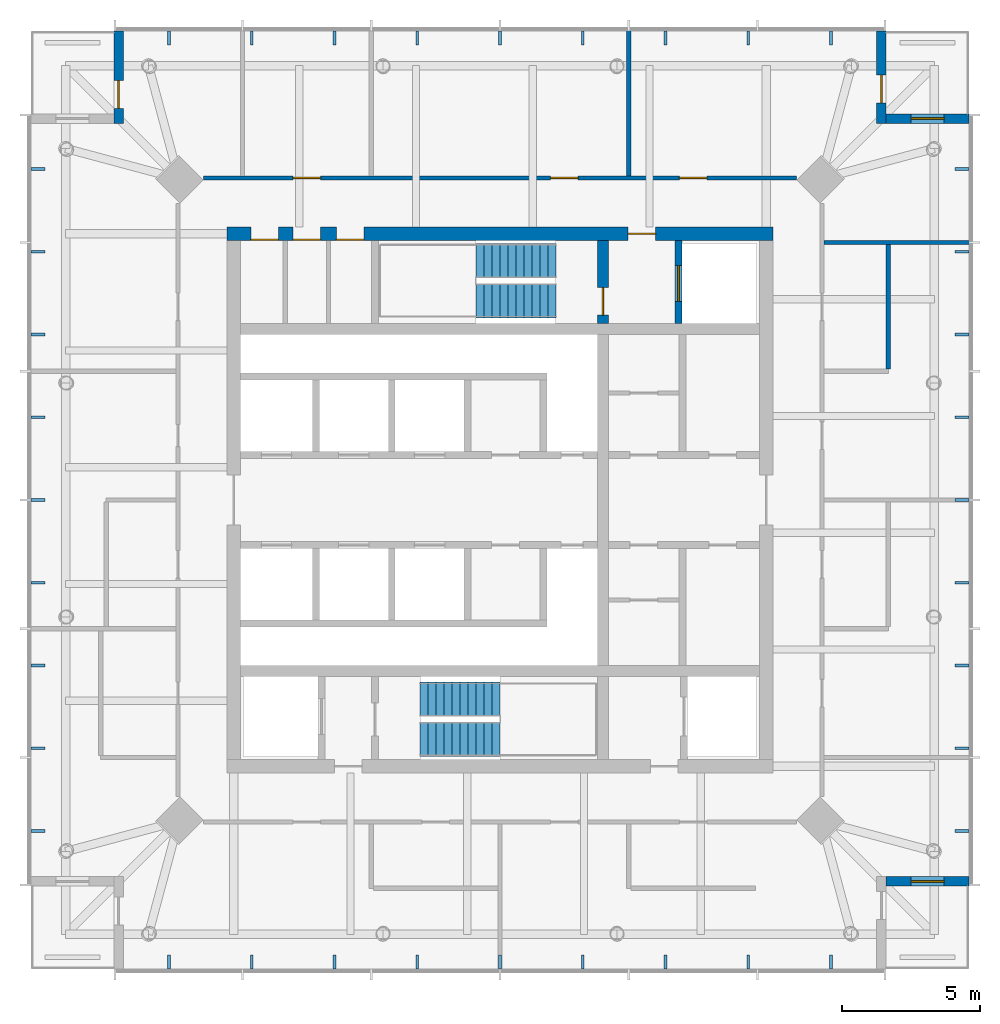
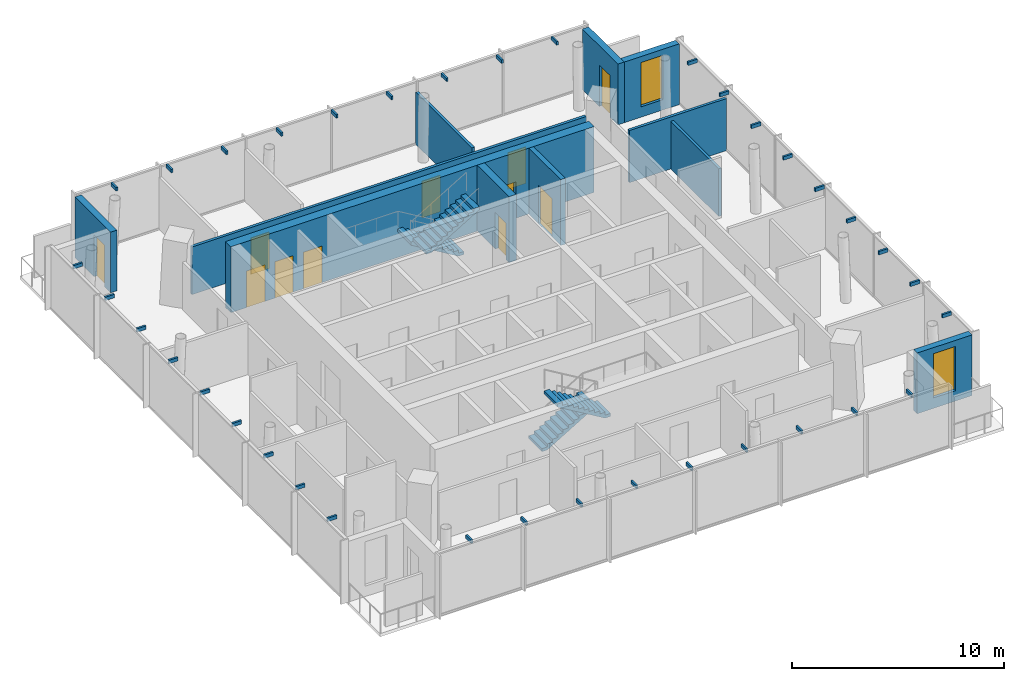
# One storey, part 6 of 7: 36 discrete accessories, 11 doors, 11 walls, 4 stair flights, 2 windows, 13 openings, 2 elements without a shape of their own.
"""IFC4 building model written with IfcOpenShell, lengths in metres."""

from ifc_helpers import new_model, si_unit, direction, frame, frame_2d, origin, origin_2d, place, context, subcontext, project, spatial, polyline, rectangle, outline, extrude, material, layer, layer_set, type_object, element, fill, aggregate, save


model = new_model("IFC4")

# Units and contexts
model_context = context("Model", 3, precision=1e-05, world=origin(), true_north=direction((0.0, 1.0)))
body_context = subcontext(model_context, "Body", "Model", "MODEL_VIEW")
ifc_project = project(units=[si_unit("LENGTHUNIT", "METRE"), si_unit("AREAUNIT", "SQUARE_METRE"), si_unit("VOLUMEUNIT", "CUBIC_METRE"), si_unit("PLANEANGLEUNIT", "RADIAN"), si_unit("MASSUNIT", "GRAM", prefix="KILO")], contexts=[model_context])

# Site, building, storey
site_placement = place(None, origin())
site = spatial("IfcSite", under=ifc_project, at=site_placement, CompositionType="ELEMENT")
building_placement = place(site_placement, origin())
building = spatial("IfcBuilding", under=site, at=building_placement, Name="Ostroluk Exchange", CompositionType="ELEMENT")
storey_placement = place(building_placement, frame((0.0, 0.0, 279.39990234375)))
storey = spatial("IfcBuildingStorey", under=building, at=storey_placement, Name="L72", CompositionType="ELEMENT", Elevation=279.39990234375)

# Wall, opening, door
ifc_material_1 = material(Name="Concrete C50/60", Category="concrete")
ifc_layer_1 = layer(ifc_material_1, 0.39990234375)
ifc_layer_set_1 = layer_set([ifc_layer_1], Name="Core cross wall 400 C50/60")
wall_type_1 = type_object("IfcWallType", Name="Core cross wall 400 C50/60", PredefinedType="SHEAR", material=ifc_layer_set_1)
wall_1_placement = place(storey_placement, frame((48.72998046875, 52.39990234375, 0.0), z_axis=(0.0, 0.0, 1.0), x_axis=(0.0, 1.0, 0.0)))
wall_1 = element("IfcWall", 1, at=wall_1_placement, inside=storey, type_object=wall_type_1, Name="T1 core wall YE3", PredefinedType="SHEAR", context=body_context, shape_type="SweptSolid", body=[
    extrude(rectangle(XDim=3.0, YDim=0.39990234375, at=frame_2d((1.5, 0.0))), origin(), (0.0, 0.0, 1.0), 3.800048828125),
])
opening_1_placement = place(wall_1_placement, frame((0.300048828125, 0.0, 0.0)))
opening_1 = element("IfcOpeningElement", 2, at=opening_1_placement, cuts=wall_1, Name="Opening FD60", PredefinedType="OPENING", context=body_context, shape_type="SweptSolid", body=[
    extrude(rectangle(XDim=1.0, YDim=2.10009765625, at=frame_2d((0.5, 1.050048828125))), frame((0.0, 0.2099609375, 0.0), z_axis=(0.0, -1.0, 0.0), x_axis=(1.0, 0.0, 0.0)), (0.0, 0.0, 1.0), 0.419921875),
])
ifc_material_2 = material(Name="Steel", Category="steel")
door_type_1 = type_object("IfcDoorType", Name="Fire door EI 60 1000 x 2100", OperationType="SINGLE_SWING_LEFT", PredefinedType="DOOR", material=ifc_material_2)
door_1_placement = place(opening_1_placement, origin())
door_1 = element("IfcDoor", 3, at=door_1_placement, inside=storey, type_object=door_type_1, Name="Stair T1-S2 door", OperationType="SINGLE_SWING_LEFT", OverallHeight=2.10009765625, OverallWidth=1.0, PredefinedType="DOOR", context=body_context, shape_type="SweptSolid", body=[
    extrude(rectangle(XDim=1.0, YDim=2.10009765625, at=frame_2d((0.5, 1.050048828125))), frame((0.0, 0.02490234375, 0.0), z_axis=(0.0, -1.0, 0.0), x_axis=(1.0, 0.0, 0.0)), (0.0, 0.0, 1.0), 0.050048828125),
])
fill(opening_1, door_1)

ifc_material_3 = material(Name="Concrete C40/50", Category="concrete")
ifc_layer_2 = layer(ifc_material_3, 0.25)
ifc_layer_set_2 = layer_set([ifc_layer_2], Name="Core shaft wall 250")
wall_type_2 = type_object("IfcWallType", Name="Core shaft wall 250", PredefinedType="SHEAR", material=ifc_layer_set_2)
wall_2_placement = place(storey_placement, frame((51.47509765625, 52.39990234375, 0.0), z_axis=(0.0, 0.0, 1.0), x_axis=(0.0, 1.0, 0.0)))
wall_2 = element("IfcWall", 4, at=wall_2_placement, inside=storey, type_object=wall_type_2, Name="Firefighting lift shaft wall", PredefinedType="SHEAR", context=body_context, shape_type="SweptSolid", body=[
    extrude(rectangle(XDim=3.0, YDim=0.25, at=frame_2d((1.5, 0.0))), origin(), (0.0, 0.0, 1.0), 3.800048828125),
])
opening_2_placement = place(wall_2_placement, frame((0.800048828125, 0.0, 0.0)))
opening_2 = element("IfcOpeningElement", 5, at=opening_2_placement, cuts=wall_2, Name="Opening LD2", PredefinedType="OPENING", context=body_context, shape_type="SweptSolid", body=[
    extrude(rectangle(XDim=1.300048828125, YDim=2.199951171875, at=frame_2d((0.64990234375, 1.10009765625))), frame((0.0, 0.135009765625, 0.0), z_axis=(0.0, -1.0, 0.0), x_axis=(1.0, 0.0, 0.0)), (0.0, 0.0, 1.0), 0.27001953125),
])
ifc_material_4 = material(Name="Stainless steel", Category="steel")
door_type_2 = type_object("IfcDoorType", Name="Lift landing door E 60 1300 x 2200", OperationType="DOUBLE_DOOR_SLIDING", PredefinedType="DOOR", material=ifc_material_4)
door_2_placement = place(opening_2_placement, origin())
door_2 = element("IfcDoor", 6, at=door_2_placement, inside=storey, type_object=door_type_2, Name="Lift FL2 landing door", OperationType="DOUBLE_DOOR_SLIDING", OverallHeight=2.199951171875, OverallWidth=1.300048828125, PredefinedType="DOOR", context=body_context, shape_type="SweptSolid", body=[
    extrude(rectangle(XDim=1.300048828125, YDim=2.199951171875, at=frame_2d((0.64990234375, 1.10009765625))), frame((0.0, 0.02490234375, 0.0), z_axis=(0.0, -1.0, 0.0), x_axis=(1.0, 0.0, 0.0)), (0.0, 0.0, 1.0), 0.050048828125),
])
fill(opening_2, door_2)

# Wall, openings, doors
ifc_material_5 = material(Name="Concrete C50/60", Category="concrete")
ifc_layer_3 = layer(ifc_material_5, 0.5)
ifc_layer_set_3 = layer_set([ifc_layer_3], Name="Core wall 500 C50/60")
wall_type_3 = type_object("IfcWallType", Name="Core wall 500 C50/60", PredefinedType="SHEAR", material=ifc_layer_set_3)
wall_3_placement = place(storey_placement, frame((35.10009765625, 55.64990234375, 0.0), z_axis=(0.0, 0.0, 1.0), x_axis=(1.0, 0.0, 0.0)))
wall_3 = element("IfcWall", 7, at=wall_3_placement, inside=storey, type_object=wall_type_3, Name="T1 core wall N", PredefinedType="SHEAR", context=body_context, shape_type="SweptSolid", body=[
    extrude(rectangle(XDim=19.7998046875, YDim=0.5, at=frame_2d((9.89990234375, 0.0))), origin(), (0.0, 0.0, 1.0), 3.800048828125),
])
opening_3_placement = place(wall_3_placement, frame((14.5400390625, 0.0, 0.0)))
opening_3 = element("IfcOpeningElement", 8, at=opening_3_placement, cuts=wall_3, Name="Opening FD60", PredefinedType="OPENING", context=body_context, shape_type="SweptSolid", body=[
    extrude(rectangle(XDim=1.0, YDim=2.10009765625, at=frame_2d((0.5, 1.050048828125))), frame((0.0, 0.260009765625, 0.0), z_axis=(0.0, -1.0, 0.0), x_axis=(1.0, 0.0, 0.0)), (0.0, 0.0, 1.0), 0.52001953125),
])
opening_4_placement = place(wall_3_placement, frame((0.864990234375, 0.0, 0.0)))
opening_4 = element("IfcOpeningElement", 9, at=opening_4_placement, cuts=wall_3, Name="Opening FD60", PredefinedType="OPENING", context=body_context, shape_type="SweptSolid", body=[
    extrude(rectangle(XDim=1.0, YDim=2.10009765625, at=frame_2d((0.5, 1.050048828125))), frame((0.0, 0.260009765625, 0.0), z_axis=(0.0, -1.0, 0.0), x_axis=(1.0, 0.0, 0.0)), (0.0, 0.0, 1.0), 0.52001953125),
])
opening_5_placement = place(wall_3_placement, frame((2.398681640625, 0.0, 0.0)))
opening_5 = element("IfcOpeningElement", 10, at=opening_5_placement, cuts=wall_3, Name="Opening FD60", PredefinedType="OPENING", context=body_context, shape_type="SweptSolid", body=[
    extrude(rectangle(XDim=1.0, YDim=2.10009765625, at=frame_2d((0.5, 1.050048828125))), frame((0.0, 0.260009765625, 0.0), z_axis=(0.0, -1.0, 0.0), x_axis=(1.0, 0.0, 0.0)), (0.0, 0.0, 1.0), 0.52001953125),
])
opening_6_placement = place(wall_3_placement, frame((3.96630859375, 0.0, 0.0)))
opening_6 = element("IfcOpeningElement", 11, at=opening_6_placement, cuts=wall_3, Name="Opening FD60", PredefinedType="OPENING", context=body_context, shape_type="SweptSolid", body=[
    extrude(rectangle(XDim=1.0, YDim=2.10009765625, at=frame_2d((0.5, 1.050048828125))), frame((0.0, 0.260009765625, 0.0), z_axis=(0.0, -1.0, 0.0), x_axis=(1.0, 0.0, 0.0)), (0.0, 0.0, 1.0), 0.52001953125),
])
door_3_placement = place(opening_3_placement, origin())
door_3 = element("IfcDoor", 12, at=door_3_placement, inside=storey, type_object=door_type_1, Name="Firefighting lobby door", OperationType="SINGLE_SWING_RIGHT", OverallHeight=2.10009765625, OverallWidth=1.0, PredefinedType="DOOR", context=body_context, shape_type="SweptSolid", body=[
    extrude(rectangle(XDim=1.0, YDim=2.10009765625, at=frame_2d((0.5, 1.050048828125))), frame((0.0, 0.02490234375, 0.0), z_axis=(0.0, -1.0, 0.0), x_axis=(1.0, 0.0, 0.0)), (0.0, 0.0, 1.0), 0.050048828125),
])
fill(opening_3, door_3)
door_4_placement = place(opening_4_placement, origin())
door_4 = element("IfcDoor", 13, at=door_4_placement, inside=storey, type_object=door_type_1, Name="Comms room door", OperationType="SINGLE_SWING_LEFT", OverallHeight=2.10009765625, OverallWidth=1.0, PredefinedType="DOOR", context=body_context, shape_type="SweptSolid", body=[
    extrude(rectangle(XDim=1.0, YDim=2.10009765625, at=frame_2d((0.5, 1.050048828125))), frame((0.0, -0.18994140625, 0.0), z_axis=(0.0, -1.0, 0.0), x_axis=(1.0, 0.0, 0.0)), (0.0, 0.0, 1.0), 0.050048828125),
])
fill(opening_4, door_4)
door_5_placement = place(opening_5_placement, origin())
door_5 = element("IfcDoor", 14, at=door_5_placement, inside=storey, type_object=door_type_1, Name="Cleaner's store door", OperationType="SINGLE_SWING_LEFT", OverallHeight=2.10009765625, OverallWidth=1.0, PredefinedType="DOOR", context=body_context, shape_type="SweptSolid", body=[
    extrude(rectangle(XDim=1.0, YDim=2.10009765625, at=frame_2d((0.5, 1.050048828125))), frame((0.0, -0.18994140625, 0.0), z_axis=(0.0, -1.0, 0.0), x_axis=(1.0, 0.0, 0.0)), (0.0, 0.0, 1.0), 0.050048828125),
])
fill(opening_5, door_5)
door_6_placement = place(opening_6_placement, origin())
door_6 = element("IfcDoor", 15, at=door_6_placement, inside=storey, type_object=door_type_1, Name="Store door", OperationType="SINGLE_SWING_LEFT", OverallHeight=2.10009765625, OverallWidth=1.0, PredefinedType="DOOR", context=body_context, shape_type="SweptSolid", body=[
    extrude(rectangle(XDim=1.0, YDim=2.10009765625, at=frame_2d((0.5, 1.050048828125))), frame((0.0, -0.18994140625, 0.0), z_axis=(0.0, -1.0, 0.0), x_axis=(1.0, 0.0, 0.0)), (0.0, 0.0, 1.0), 0.050048828125),
])
fill(opening_6, door_6)

# Wall, opening, window
ifc_material_6 = material(Name="Limestone", Category="masonry")
ifc_layer_4 = layer(ifc_material_6, 0.35009765625)
ifc_layer_set_4 = layer_set([ifc_layer_4], Name="Limestone facade wall 350")
wall_type_4 = type_object("IfcWallType", Name="Limestone facade wall 350", PredefinedType="SOLIDWALL", material=ifc_layer_set_4)
wall_4_placement = place(storey_placement, frame((59.0, 32.175048828125, 0.0), z_axis=(0.0, 0.0, 1.0), x_axis=(1.0, 0.0, 0.0)))
wall_4 = element("IfcWall", 16, at=wall_4_placement, inside=storey, type_object=wall_type_4, Name="Office tower SE corner wall L72 b", PredefinedType="SOLIDWALL", context=body_context, shape_type="SweptSolid", body=[
    extrude(rectangle(XDim=3.0, YDim=0.35009765625, at=frame_2d((1.5, 0.0))), origin(), (0.0, 0.0, 1.0), 3.5),
])
opening_7_placement = place(wall_4_placement, frame((0.89990234375, 0.0, 0.60009765625)))
opening_7 = element("IfcOpeningElement", 17, at=opening_7_placement, cuts=wall_4, Name="Opening WN-L1", PredefinedType="OPENING", context=body_context, shape_type="SweptSolid", body=[
    extrude(rectangle(XDim=1.199951171875, YDim=2.550048828125, at=frame_2d((0.60009765625, 1.27490234375))), frame((0.0, 0.18505859375, 0.0), z_axis=(0.0, -1.0, 0.0), x_axis=(1.0, 0.0, 0.0)), (0.0, 0.0, 1.0), 0.3701171875),
])
ifc_material_7 = material(Name="Laminated clear glass", Category="glass")
window_type = type_object("IfcWindowType", Name="Lancet window 1200 x 2550", PartitioningType="SINGLE_PANEL", PredefinedType="WINDOW", material=ifc_material_7)
window_1_placement = place(opening_7_placement, origin())
window_1 = element("IfcWindow", 18, at=window_1_placement, inside=storey, type_object=window_type, Name="Office tower SE lancet window L72", OverallHeight=2.550048828125, OverallWidth=1.199951171875, PartitioningType="SINGLE_PANEL", PredefinedType="WINDOW", context=body_context, shape_type="SweptSolid", body=[
    extrude(rectangle(XDim=1.199951171875, YDim=2.550048828125, at=frame_2d((0.60009765625, 1.27490234375))), frame((0.0, 0.030029296875, 0.0), z_axis=(0.0, -1.0, 0.0), x_axis=(1.0, 0.0, 0.0)), (0.0, 0.0, 1.0), 0.06005859375),
])
fill(opening_7, window_1)

# Wall, opening, door
wall_5_placement = place(storey_placement, frame((58.824951171875, 63.0, 0.0), z_axis=(0.0, 0.0, 1.0), x_axis=(0.0, -1.0, 0.0)))
wall_5 = element("IfcWall", 19, at=wall_5_placement, inside=storey, type_object=wall_type_4, Name="Office tower NE corner wall L72 a", PredefinedType="SOLIDWALL", context=body_context, shape_type="SweptSolid", body=[
    extrude(rectangle(XDim=3.35009765625, YDim=0.35009765625, at=frame_2d((1.675048828125, 0.0))), origin(), (0.0, 0.0, 1.0), 3.5),
])
opening_8_placement = place(wall_5_placement, frame((1.60009765625, 0.0, 0.0)))
opening_8 = element("IfcOpeningElement", 20, at=opening_8_placement, cuts=wall_5, Name="Opening D-B1", PredefinedType="OPENING", context=body_context, shape_type="SweptSolid", body=[
    extrude(rectangle(XDim=1.0, YDim=2.39990234375, at=frame_2d((0.5, 1.199951171875))), frame((0.0, 0.18505859375, 0.0), z_axis=(0.0, -1.0, 0.0), x_axis=(1.0, 0.0, 0.0)), (0.0, 0.0, 1.0), 0.3701171875),
])
ifc_material_8 = material(Name="Bronze framed glazed door", Category="aluminium")
door_type_3 = type_object("IfcDoorType", Name="Balcony door 1000 x 2400", OperationType="SINGLE_SWING_LEFT", PredefinedType="DOOR", material=ifc_material_8)
door_7_placement = place(opening_8_placement, origin())
door_7 = element("IfcDoor", 21, at=door_7_placement, inside=storey, type_object=door_type_3, Name="Office tower NE balcony door L72", OperationType="SINGLE_SWING_RIGHT", OverallHeight=2.39990234375, OverallWidth=1.0, PredefinedType="DOOR", context=body_context, shape_type="SweptSolid", body=[
    extrude(rectangle(XDim=1.0, YDim=2.39990234375, at=frame_2d((0.5, 1.199951171875))), frame((0.0, 0.02490234375, 0.0), z_axis=(0.0, -1.0, 0.0), x_axis=(1.0, 0.0, 0.0)), (0.0, 0.0, 1.0), 0.050048828125),
])
fill(opening_8, door_7)

# Wall, opening, window
wall_6_placement = place(storey_placement, frame((59.0, 59.824951171875, 0.0), z_axis=(0.0, 0.0, 1.0), x_axis=(1.0, 0.0, 0.0)))
wall_6 = element("IfcWall", 22, at=wall_6_placement, inside=storey, type_object=wall_type_4, Name="Office tower NE corner wall L72 b", PredefinedType="SOLIDWALL", context=body_context, shape_type="SweptSolid", body=[
    extrude(rectangle(XDim=3.0, YDim=0.35009765625, at=frame_2d((1.5, 0.0))), origin(), (0.0, 0.0, 1.0), 3.5),
])
opening_9_placement = place(wall_6_placement, frame((0.89990234375, 0.0, 0.60009765625)))
opening_9 = element("IfcOpeningElement", 23, at=opening_9_placement, cuts=wall_6, Name="Opening WN-L1", PredefinedType="OPENING", context=body_context, shape_type="SweptSolid", body=[
    extrude(rectangle(XDim=1.199951171875, YDim=2.550048828125, at=frame_2d((0.60009765625, 1.27490234375))), frame((0.0, 0.18505859375, 0.0), z_axis=(0.0, -1.0, 0.0), x_axis=(1.0, 0.0, 0.0)), (0.0, 0.0, 1.0), 0.3701171875),
])
window_2_placement = place(opening_9_placement, origin())
window_2 = element("IfcWindow", 24, at=window_2_placement, inside=storey, type_object=window_type, Name="Office tower NE lancet window L72", OverallHeight=2.550048828125, OverallWidth=1.199951171875, PartitioningType="SINGLE_PANEL", PredefinedType="WINDOW", context=body_context, shape_type="SweptSolid", body=[
    extrude(rectangle(XDim=1.199951171875, YDim=2.550048828125, at=frame_2d((0.60009765625, 1.27490234375))), frame((0.0, 0.030029296875, 0.0), z_axis=(0.0, -1.0, 0.0), x_axis=(1.0, 0.0, 0.0)), (0.0, 0.0, 1.0), 0.06005859375),
])
fill(opening_9, window_2)

# Wall, opening, door
wall_7_placement = place(storey_placement, frame((31.175048828125, 63.0, 0.0), z_axis=(0.0, 0.0, 1.0), x_axis=(0.0, -1.0, 0.0)))
wall_7 = element("IfcWall", 25, at=wall_7_placement, inside=storey, type_object=wall_type_4, Name="Office tower NW corner wall L72 a", PredefinedType="SOLIDWALL", context=body_context, shape_type="SweptSolid", body=[
    extrude(rectangle(XDim=3.35009765625, YDim=0.35009765625, at=frame_2d((1.675048828125, 0.0))), origin(), (0.0, 0.0, 1.0), 3.5),
])
opening_10_placement = place(wall_7_placement, frame((1.800048828125, 0.0, 0.0)))
opening_10 = element("IfcOpeningElement", 26, at=opening_10_placement, cuts=wall_7, Name="Opening D-B1", PredefinedType="OPENING", context=body_context, shape_type="SweptSolid", body=[
    extrude(rectangle(XDim=1.0, YDim=2.39990234375, at=frame_2d((0.5, 1.199951171875))), frame((0.0, 0.18505859375, 0.0), z_axis=(0.0, -1.0, 0.0), x_axis=(1.0, 0.0, 0.0)), (0.0, 0.0, 1.0), 0.3701171875),
])
door_8_placement = place(opening_10_placement, origin())
door_8 = element("IfcDoor", 27, at=door_8_placement, inside=storey, type_object=door_type_3, Name="Office tower NW balcony door L72", OperationType="SINGLE_SWING_RIGHT", OverallHeight=2.39990234375, OverallWidth=1.0, PredefinedType="DOOR", context=body_context, shape_type="SweptSolid", body=[
    extrude(rectangle(XDim=1.0, YDim=2.39990234375, at=frame_2d((0.5, 1.199951171875))), frame((0.0, 0.02490234375, 0.0), z_axis=(0.0, -1.0, 0.0), x_axis=(1.0, 0.0, 0.0)), (0.0, 0.0, 1.0), 0.050048828125),
])
fill(opening_10, door_8)

# Walls
ifc_material_9 = material(Name="Gypsum plasterboard partition", Category="gypsum")
ifc_layer_5 = layer(ifc_material_9, 0.14990234375)
ifc_layer_set_5 = layer_set([ifc_layer_5], Name="Plasterboard partition 150")
wall_type_5 = type_object("IfcWallType", Name="Plasterboard partition 150", PredefinedType="PARTITIONING", material=ifc_layer_set_5)
wall_8_placement = place(storey_placement, frame((59.074951171875, 50.74169921875, 0.0), z_axis=(0.0, 0.0, 1.0), x_axis=(0.0, 1.0, 0.0)))
element("IfcWall", 28, at=wall_8_placement, inside=storey, type_object=wall_type_5, Name="Partition", PredefinedType="PARTITIONING", context=body_context, shape_type="SweptSolid", body=[
    extrude(rectangle(XDim=4.5166015625, YDim=0.14990234375, at=frame_2d((2.25830078125, 0.0))), origin(), (0.0, 0.0, 1.0), 2.7470703125),
])
wall_9_placement = place(storey_placement, frame((56.75, 55.333251953125, 0.0), z_axis=(0.0, 0.0, 1.0), x_axis=(1.0, 0.0, 0.0)))
element("IfcWall", 29, at=wall_9_placement, inside=storey, type_object=wall_type_5, Name="Partition", PredefinedType="PARTITIONING", context=body_context, shape_type="SweptSolid", body=[
    extrude(rectangle(XDim=5.2900390625, YDim=0.14990234375, at=frame_2d((2.64501953125, 0.0))), origin(), (0.0, 0.0, 1.0), 3.0),
])

# Wall, openings, doors
wall_10_placement = place(storey_placement, frame((55.75146484375, 57.675048828125, 0.0), z_axis=(0.0, 0.0, 1.0), x_axis=(-1.0, 0.0, 0.0)))
wall_10 = element("IfcWall", 30, at=wall_10_placement, inside=storey, type_object=wall_type_5, Name="Partition", PredefinedType="PARTITIONING", context=body_context, shape_type="SweptSolid", body=[
    extrude(rectangle(XDim=21.5029296875, YDim=0.14990234375, at=frame_2d((10.75146484375, 0.0))), origin(), (0.0, 0.0, 1.0), 2.7470703125),
])
opening_11_placement = place(wall_10_placement, frame((3.25146484375, 0.0, 0.0)))
opening_11 = element("IfcOpeningElement", 31, at=opening_11_placement, cuts=wall_10, Name="Opening D-03", PredefinedType="OPENING", context=body_context, shape_type="SweptSolid", body=[
    extrude(rectangle(XDim=1.0, YDim=2.10009765625, at=frame_2d((0.5, 1.050048828125))), frame((0.0, 0.0849609375, 0.0), z_axis=(0.0, -1.0, 0.0), x_axis=(1.0, 0.0, 0.0)), (0.0, 0.0, 1.0), 0.169921875),
])
opening_12_placement = place(wall_10_placement, frame((7.918212890625, 0.0, 0.0)))
opening_12 = element("IfcOpeningElement", 32, at=opening_12_placement, cuts=wall_10, Name="Opening D-03", PredefinedType="OPENING", context=body_context, shape_type="SweptSolid", body=[
    extrude(rectangle(XDim=1.0, YDim=2.10009765625, at=frame_2d((0.5, 1.050048828125))), frame((0.0, 0.0849609375, 0.0), z_axis=(0.0, -1.0, 0.0), x_axis=(1.0, 0.0, 0.0)), (0.0, 0.0, 1.0), 0.169921875),
])
opening_13_placement = place(wall_10_placement, frame((17.25146484375, 0.0, 0.0)))
opening_13 = element("IfcOpeningElement", 33, at=opening_13_placement, cuts=wall_10, Name="Opening D-03", PredefinedType="OPENING", context=body_context, shape_type="SweptSolid", body=[
    extrude(rectangle(XDim=1.0, YDim=2.10009765625, at=frame_2d((0.5, 1.050048828125))), frame((0.0, 0.0849609375, 0.0), z_axis=(0.0, -1.0, 0.0), x_axis=(1.0, 0.0, 0.0)), (0.0, 0.0, 1.0), 0.169921875),
])
ifc_material_10 = material(Name="Timber", Category="wood")
door_type_4 = type_object("IfcDoorType", Name="Internal door 1000 x 2100", OperationType="SINGLE_SWING_LEFT", PredefinedType="DOOR", material=ifc_material_10)
door_9_placement = place(opening_11_placement, origin())
door_9 = element("IfcDoor", 34, at=door_9_placement, inside=storey, type_object=door_type_4, Name="Corner office door", OperationType="SINGLE_SWING_LEFT", OverallHeight=2.10009765625, OverallWidth=1.0, PredefinedType="DOOR", context=body_context, shape_type="SweptSolid", body=[
    extrude(rectangle(XDim=1.0, YDim=2.10009765625, at=frame_2d((0.5, 1.050048828125))), frame((0.0, 0.02490234375, 0.0), z_axis=(0.0, -1.0, 0.0), x_axis=(1.0, 0.0, 0.0)), (0.0, 0.0, 1.0), 0.050048828125),
])
fill(opening_11, door_9)
door_10_placement = place(opening_12_placement, origin())
door_10 = element("IfcDoor", 35, at=door_10_placement, inside=storey, type_object=door_type_4, Name="Executive office door", OperationType="SINGLE_SWING_LEFT", OverallHeight=2.10009765625, OverallWidth=1.0, PredefinedType="DOOR", context=body_context, shape_type="SweptSolid", body=[
    extrude(rectangle(XDim=1.0, YDim=2.10009765625, at=frame_2d((0.5, 1.050048828125))), frame((0.0, 0.02490234375, 0.0), z_axis=(0.0, -1.0, 0.0), x_axis=(1.0, 0.0, 0.0)), (0.0, 0.0, 1.0), 0.050048828125),
])
fill(opening_12, door_10)
door_11_placement = place(opening_13_placement, origin())
door_11 = element("IfcDoor", 36, at=door_11_placement, inside=storey, type_object=door_type_4, Name="Office door", OperationType="SINGLE_SWING_RIGHT", OverallHeight=2.10009765625, OverallWidth=1.0, PredefinedType="DOOR", context=body_context, shape_type="SweptSolid", body=[
    extrude(rectangle(XDim=1.0, YDim=2.10009765625, at=frame_2d((0.5, 1.050048828125))), frame((0.0, 0.02490234375, 0.0), z_axis=(0.0, -1.0, 0.0), x_axis=(1.0, 0.0, 0.0)), (0.0, 0.0, 1.0), 0.050048828125),
])
fill(opening_13, door_11)

# Wall
wall_11_placement = place(storey_placement, frame((49.666748046875, 57.75, 0.0), z_axis=(0.0, 0.0, 1.0), x_axis=(0.0, 1.0, 0.0)))
element("IfcWall", 37, at=wall_11_placement, inside=storey, type_object=wall_type_5, Name="Partition", PredefinedType="PARTITIONING", context=body_context, shape_type="SweptSolid", body=[
    extrude(rectangle(XDim=5.2900390625, YDim=0.14990234375, at=frame_2d((2.64501953125, 0.0))), origin(), (0.0, 0.0, 1.0), 3.0),
])

# Stair, stair flights
ifc_material_11 = material(Name="Concrete C30/37", Category="concrete")
stair_type = type_object("IfcStairType", Name="Exit stair half turn 3800", PredefinedType="HALF_TURN_STAIR", material=ifc_material_11)
stair_1_placement = place(storey_placement, origin())
stair_1 = element("IfcStair", 38, at=stair_1_placement, inside=storey, type_object=stair_type, Name="Stair T1-S1 L72", PredefinedType="HALF_TURN_STAIR")
ifc_material_12 = material(Name="Concrete C30/37", Category="concrete")
stair_flight_type = type_object("IfcStairFlightType", Name="Stair flight 11 risers 172.7 x 290", PredefinedType="STRAIGHT", material=ifc_material_12)
stair_flight_1_placement = place(storey_placement, frame((42.10009765625, 38.77490234375, 0.0), z_axis=(0.0, 0.0, 1.0), x_axis=(1.0, 0.0, 0.0)))
stair_flight_1 = element("IfcStairFlight", 39, at=stair_flight_1_placement, type_object=stair_flight_type, Name="T1-S1 flight 1", NumberOfRisers=11, NumberOfTreads=10, PredefinedType="STRAIGHT", RiserHeight=0.172727273, TreadLength=0.29, context=body_context, shape_type="SweptSolid", body=[
    extrude(outline(polyline([(0.0, 0.0), (0.0, 0.172607421875), (0.2900390625, 0.172607421875), (0.2900390625, 0.345458984375), (0.580078125, 0.345458984375), (0.580078125, 0.51806640625), (0.8701171875, 0.51806640625), (0.8701171875, 0.69091796875), (1.159912109375, 0.69091796875), (1.159912109375, 0.863525390625), (1.449951171875, 0.863525390625), (1.449951171875, 1.036376953125), (1.739990234375, 1.036376953125), (1.739990234375, 1.208984375), (2.030029296875, 1.208984375), (2.030029296875, 1.3818359375), (2.320068359375, 1.3818359375), (2.320068359375, 1.554443359375), (2.610107421875, 1.554443359375), (2.610107421875, 1.727294921875), (2.89990234375, 1.727294921875), (2.89990234375, 1.89990234375), (2.89990234375, 1.552734375), (0.29296875, 0.0), (0.0, 0.0)])), frame((0.0, 0.625, 0.0), z_axis=(0.0, -1.0, 0.0), x_axis=(1.0, 0.0, 0.0)), (0.0, 0.0, 1.0), 1.25),
])
stair_flight_2_placement = place(storey_placement, frame((45.0, 37.324951171875, 1.900146484375), z_axis=(0.0, 0.0, 1.0), x_axis=(-1.0, 0.0, 0.0)))
stair_flight_2 = element("IfcStairFlight", 40, at=stair_flight_2_placement, type_object=stair_flight_type, Name="T1-S1 flight 2", NumberOfRisers=11, NumberOfTreads=10, PredefinedType="STRAIGHT", RiserHeight=0.172727273, TreadLength=0.29, context=body_context, shape_type="SweptSolid", body=[
    extrude(outline(polyline([(0.0, 0.0), (0.0, 0.172607421875), (0.2900390625, 0.172607421875), (0.2900390625, 0.345458984375), (0.580078125, 0.345458984375), (0.580078125, 0.51806640625), (0.8701171875, 0.51806640625), (0.8701171875, 0.69091796875), (1.159912109375, 0.69091796875), (1.159912109375, 0.863525390625), (1.449951171875, 0.863525390625), (1.449951171875, 1.036376953125), (1.739990234375, 1.036376953125), (1.739990234375, 1.208984375), (2.030029296875, 1.208984375), (2.030029296875, 1.3818359375), (2.320068359375, 1.3818359375), (2.320068359375, 1.554443359375), (2.610107421875, 1.554443359375), (2.610107421875, 1.727294921875), (2.89990234375, 1.727294921875), (2.89990234375, 1.89990234375), (2.89990234375, 1.552734375), (0.29296875, 0.0), (0.0, 0.0)])), frame((0.0, 0.625, 0.0), z_axis=(0.0, -1.0, 0.0), x_axis=(1.0, 0.0, 0.0)), (0.0, 0.0, 1.0), 1.25),
])
aggregate(stair_1, [stair_flight_1, stair_flight_2])

stair_2_placement = place(storey_placement, origin())
stair_2 = element("IfcStair", 41, at=stair_2_placement, inside=storey, type_object=stair_type, Name="Stair T1-S2 L72", PredefinedType="HALF_TURN_STAIR")
stair_flight_3_placement = place(storey_placement, frame((47.030029296875, 54.675048828125, 0.0), z_axis=(0.0, 0.0, 1.0), x_axis=(-1.0, 0.0, 0.0)))
stair_flight_3 = element("IfcStairFlight", 42, at=stair_flight_3_placement, type_object=stair_flight_type, Name="T1-S2 flight 1", NumberOfRisers=11, NumberOfTreads=10, PredefinedType="STRAIGHT", RiserHeight=0.172727273, TreadLength=0.29, context=body_context, shape_type="SweptSolid", body=[
    extrude(outline(polyline([(0.0, 0.0), (0.0, 0.172607421875), (0.2900390625, 0.172607421875), (0.2900390625, 0.345458984375), (0.580078125, 0.345458984375), (0.580078125, 0.51806640625), (0.8701171875, 0.51806640625), (0.8701171875, 0.69091796875), (1.159912109375, 0.69091796875), (1.159912109375, 0.863525390625), (1.449951171875, 0.863525390625), (1.449951171875, 1.036376953125), (1.739990234375, 1.036376953125), (1.739990234375, 1.208984375), (2.030029296875, 1.208984375), (2.030029296875, 1.3818359375), (2.320068359375, 1.3818359375), (2.320068359375, 1.554443359375), (2.610107421875, 1.554443359375), (2.610107421875, 1.727294921875), (2.89990234375, 1.727294921875), (2.89990234375, 1.89990234375), (2.89990234375, 1.552734375), (0.29296875, 0.0), (0.0, 0.0)])), frame((0.0, 0.625, 0.0), z_axis=(0.0, -1.0, 0.0), x_axis=(1.0, 0.0, 0.0)), (0.0, 0.0, 1.0), 1.25),
])
stair_flight_4_placement = place(storey_placement, frame((44.1298828125, 53.22509765625, 1.900146484375), z_axis=(0.0, 0.0, 1.0), x_axis=(1.0, 0.0, 0.0)))
stair_flight_4 = element("IfcStairFlight", 43, at=stair_flight_4_placement, type_object=stair_flight_type, Name="T1-S2 flight 2", NumberOfRisers=11, NumberOfTreads=10, PredefinedType="STRAIGHT", RiserHeight=0.172727273, TreadLength=0.29, context=body_context, shape_type="SweptSolid", body=[
    extrude(outline(polyline([(0.0, 0.0), (0.0, 0.172607421875), (0.2900390625, 0.172607421875), (0.2900390625, 0.345458984375), (0.580078125, 0.345458984375), (0.580078125, 0.51806640625), (0.8701171875, 0.51806640625), (0.8701171875, 0.69091796875), (1.159912109375, 0.69091796875), (1.159912109375, 0.863525390625), (1.449951171875, 0.863525390625), (1.449951171875, 1.036376953125), (1.739990234375, 1.036376953125), (1.739990234375, 1.208984375), (2.030029296875, 1.208984375), (2.030029296875, 1.3818359375), (2.320068359375, 1.3818359375), (2.320068359375, 1.554443359375), (2.610107421875, 1.554443359375), (2.610107421875, 1.727294921875), (2.89990234375, 1.727294921875), (2.89990234375, 1.89990234375), (2.89990234375, 1.552734375), (0.29296875, 0.0), (0.0, 0.0)])), frame((0.0, 0.625, 0.0), z_axis=(0.0, -1.0, 0.0), x_axis=(1.0, 0.0, 0.0)), (0.0, 0.0, 1.0), 1.25),
])
aggregate(stair_2, [stair_flight_3, stair_flight_4])

# Discrete accessories
ifc_material_13 = material(Name="Steel S355", Category="steel")
discrete_accessory_type = type_object("IfcDiscreteAccessoryType", Name="Maintenance roof bracket", PredefinedType="BRACKET", material=ifc_material_13)
for number, where, z_axis, x_axis, name in (
    (44, (33.0, 29.25, 3.4501953125), (0.0, 0.0, 1.0), (1.0, 0.0, 0.0), "Maintenance roof bracket L73 south 1"),
    (45, (36.0, 29.25, 3.4501953125), (0.0, 0.0, 1.0), (1.0, 0.0, 0.0), "Maintenance roof bracket L73 south 2"),
    (46, (39.0, 29.25, 3.4501953125), (0.0, 0.0, 1.0), (1.0, 0.0, 0.0), "Maintenance roof bracket L73 south 3"),
    (47, (42.0, 29.25, 3.4501953125), (0.0, 0.0, 1.0), (1.0, 0.0, 0.0), "Maintenance roof bracket L73 south 4"),
    (48, (45.0, 29.25, 3.4501953125), (0.0, 0.0, 1.0), (1.0, 0.0, 0.0), "Maintenance roof bracket L73 south 5"),
    (49, (48.0, 29.25, 3.4501953125), (0.0, 0.0, 1.0), (1.0, 0.0, 0.0), "Maintenance roof bracket L73 south 6"),
    (50, (51.0, 29.25, 3.4501953125), (0.0, 0.0, 1.0), (1.0, 0.0, 0.0), "Maintenance roof bracket L73 south 7"),
    (51, (54.0, 29.25, 3.4501953125), (0.0, 0.0, 1.0), (1.0, 0.0, 0.0), "Maintenance roof bracket L73 south 8"),
    (52, (57.0, 29.25, 3.4501953125), (0.0, 0.0, 1.0), (1.0, 0.0, 0.0), "Maintenance roof bracket L73 south 9"),
):
    element("IfcDiscreteAccessory", number, at=place(storey_placement, frame(where, z_axis=z_axis, x_axis=x_axis)), inside=storey, type_object=discrete_accessory_type, Name=name, PredefinedType="BRACKET", context=body_context, shape_type="SweptSolid", body=[
        extrude(rectangle(XDim=0.10009765625, YDim=0.5, at=origin_2d()), origin(), (0.0, 0.0, 1.0), 0.199951171875),
    ])
for number, where, z_axis, x_axis, name in (
    (53, (61.75, 34.0, 3.4501953125), (0.0, 0.0, 1.0), (1.0, 0.0, 0.0), "Maintenance roof bracket L73 east 1"),
    (54, (61.75, 37.0, 3.4501953125), (0.0, 0.0, 1.0), (1.0, 0.0, 0.0), "Maintenance roof bracket L73 east 2"),
    (55, (61.75, 40.0, 3.4501953125), (0.0, 0.0, 1.0), (1.0, 0.0, 0.0), "Maintenance roof bracket L73 east 3"),
    (56, (61.75, 43.0, 3.4501953125), (0.0, 0.0, 1.0), (1.0, 0.0, 0.0), "Maintenance roof bracket L73 east 4"),
    (57, (61.75, 46.0, 3.4501953125), (0.0, 0.0, 1.0), (1.0, 0.0, 0.0), "Maintenance roof bracket L73 east 5"),
    (58, (61.75, 49.0, 3.4501953125), (0.0, 0.0, 1.0), (1.0, 0.0, 0.0), "Maintenance roof bracket L73 east 6"),
    (59, (61.75, 52.0, 3.4501953125), (0.0, 0.0, 1.0), (1.0, 0.0, 0.0), "Maintenance roof bracket L73 east 7"),
    (60, (61.75, 55.0, 3.4501953125), (0.0, 0.0, 1.0), (1.0, 0.0, 0.0), "Maintenance roof bracket L73 east 8"),
    (61, (61.75, 58.0, 3.4501953125), (0.0, 0.0, 1.0), (1.0, 0.0, 0.0), "Maintenance roof bracket L73 east 9"),
):
    element("IfcDiscreteAccessory", number, at=place(storey_placement, frame(where, z_axis=z_axis, x_axis=x_axis)), inside=storey, type_object=discrete_accessory_type, Name=name, PredefinedType="BRACKET", context=body_context, shape_type="SweptSolid", body=[
        extrude(rectangle(XDim=0.5, YDim=0.10009765625, at=origin_2d()), origin(), (0.0, 0.0, 1.0), 0.199951171875),
    ])
for number, where, z_axis, x_axis, name in (
    (62, (33.0, 62.75, 3.4501953125), (0.0, 0.0, 1.0), (1.0, 0.0, 0.0), "Maintenance roof bracket L73 north 1"),
    (63, (36.0, 62.75, 3.4501953125), (0.0, 0.0, 1.0), (1.0, 0.0, 0.0), "Maintenance roof bracket L73 north 2"),
    (64, (39.0, 62.75, 3.4501953125), (0.0, 0.0, 1.0), (1.0, 0.0, 0.0), "Maintenance roof bracket L73 north 3"),
    (65, (42.0, 62.75, 3.4501953125), (0.0, 0.0, 1.0), (1.0, 0.0, 0.0), "Maintenance roof bracket L73 north 4"),
    (66, (45.0, 62.75, 3.4501953125), (0.0, 0.0, 1.0), (1.0, 0.0, 0.0), "Maintenance roof bracket L73 north 5"),
    (67, (48.0, 62.75, 3.4501953125), (0.0, 0.0, 1.0), (1.0, 0.0, 0.0), "Maintenance roof bracket L73 north 6"),
    (68, (51.0, 62.75, 3.4501953125), (0.0, 0.0, 1.0), (1.0, 0.0, 0.0), "Maintenance roof bracket L73 north 7"),
    (69, (54.0, 62.75, 3.4501953125), (0.0, 0.0, 1.0), (1.0, 0.0, 0.0), "Maintenance roof bracket L73 north 8"),
    (70, (57.0, 62.75, 3.4501953125), (0.0, 0.0, 1.0), (1.0, 0.0, 0.0), "Maintenance roof bracket L73 north 9"),
):
    element("IfcDiscreteAccessory", number, at=place(storey_placement, frame(where, z_axis=z_axis, x_axis=x_axis)), inside=storey, type_object=discrete_accessory_type, Name=name, PredefinedType="BRACKET", context=body_context, shape_type="SweptSolid", body=[
        extrude(rectangle(XDim=0.10009765625, YDim=0.5, at=origin_2d()), origin(), (0.0, 0.0, 1.0), 0.199951171875),
    ])
for number, where, z_axis, x_axis, name in (
    (71, (28.25, 34.0, 3.4501953125), (0.0, 0.0, 1.0), (1.0, 0.0, 0.0), "Maintenance roof bracket L73 west 1"),
    (72, (28.25, 37.0, 3.4501953125), (0.0, 0.0, 1.0), (1.0, 0.0, 0.0), "Maintenance roof bracket L73 west 2"),
    (73, (28.25, 40.0, 3.4501953125), (0.0, 0.0, 1.0), (1.0, 0.0, 0.0), "Maintenance roof bracket L73 west 3"),
    (74, (28.25, 43.0, 3.4501953125), (0.0, 0.0, 1.0), (1.0, 0.0, 0.0), "Maintenance roof bracket L73 west 4"),
    (75, (28.25, 46.0, 3.4501953125), (0.0, 0.0, 1.0), (1.0, 0.0, 0.0), "Maintenance roof bracket L73 west 5"),
    (76, (28.25, 49.0, 3.4501953125), (0.0, 0.0, 1.0), (1.0, 0.0, 0.0), "Maintenance roof bracket L73 west 6"),
    (77, (28.25, 52.0, 3.4501953125), (0.0, 0.0, 1.0), (1.0, 0.0, 0.0), "Maintenance roof bracket L73 west 7"),
    (78, (28.25, 55.0, 3.4501953125), (0.0, 0.0, 1.0), (1.0, 0.0, 0.0), "Maintenance roof bracket L73 west 8"),
    (79, (28.25, 58.0, 3.4501953125), (0.0, 0.0, 1.0), (1.0, 0.0, 0.0), "Maintenance roof bracket L73 west 9"),
):
    element("IfcDiscreteAccessory", number, at=place(storey_placement, frame(where, z_axis=z_axis, x_axis=x_axis)), inside=storey, type_object=discrete_accessory_type, Name=name, PredefinedType="BRACKET", context=body_context, shape_type="SweptSolid", body=[
        extrude(rectangle(XDim=0.5, YDim=0.10009765625, at=origin_2d()), origin(), (0.0, 0.0, 1.0), 0.199951171875),
    ])

save(model, "model.ifc")
